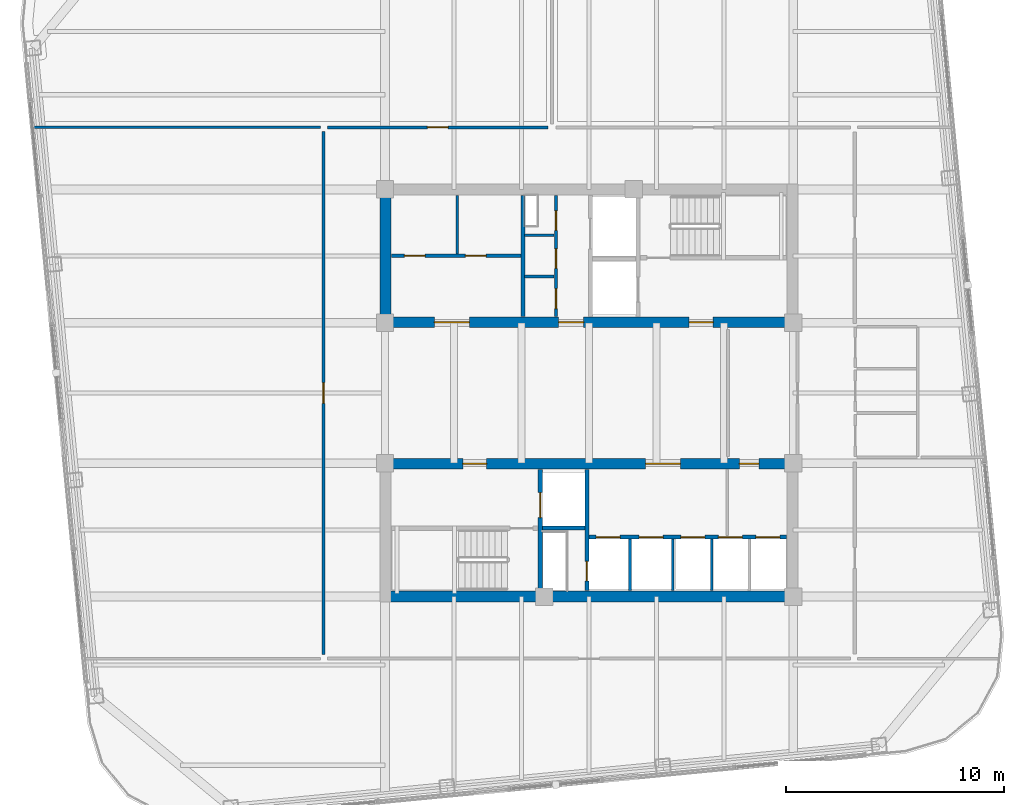
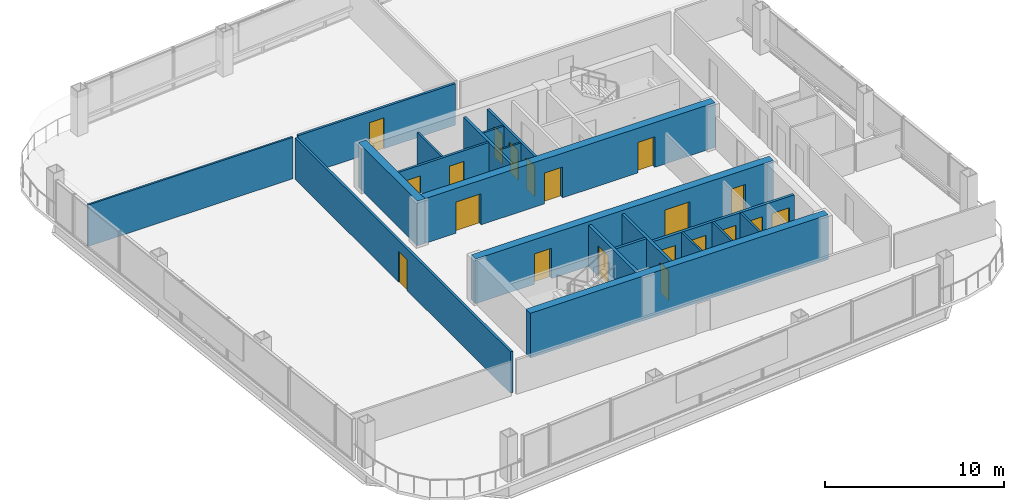
# One storey, part 24 of 28: 20 doors, 20 walls, 20 openings.
"""IFC4 building model written with IfcOpenShell, lengths in metres."""

from ifc_helpers import new_model, si_unit, direction, frame, frame_2d, origin, place, context, subcontext, project, spatial, rectangle, extrude, material, layer, layer_set, type_object, element, fill, save


model = new_model("IFC4")

# Units and contexts
model_context = context("Model", 3, precision=1e-05, world=origin(), true_north=direction((0.0, 1.0)))
body_context = subcontext(model_context, "Body", "Model", "MODEL_VIEW")
ifc_project = project(units=[si_unit("LENGTHUNIT", "METRE"), si_unit("AREAUNIT", "SQUARE_METRE"), si_unit("VOLUMEUNIT", "CUBIC_METRE"), si_unit("PLANEANGLEUNIT", "RADIAN"), si_unit("MASSUNIT", "GRAM", prefix="KILO")], contexts=[model_context])

# Site, building, storey
site_placement = place(None, origin())
site = spatial("IfcSite", under=ifc_project, at=site_placement, CompositionType="ELEMENT")
building_placement = place(site_placement, origin())
building = spatial("IfcBuilding", under=site, at=building_placement, Name="Qhalaya Broadcast Tower", CompositionType="ELEMENT")
storey_placement = place(building_placement, frame((0.0, 0.0, 159.199951171875)))
storey = spatial("IfcBuildingStorey", under=building, at=storey_placement, Name="L46", CompositionType="ELEMENT", Elevation=159.199951171875)

# Wall, openings, doors
ifc_material_1 = material(Name="Gypsum Acoustic Partition")
ifc_layer_1 = layer(ifc_material_1, 0.14990234375, Name="Gypsum Acoustic Partition")
ifc_layer_set_1 = layer_set([ifc_layer_1], Name="Gypsum Acoustic Partition")
wall_type_1 = type_object("IfcWallType", Name="Corridor & Tenancy Acoustic Partition 150", PredefinedType="PARTITIONING", material=ifc_layer_set_1)
wall_1_placement = place(storey_placement, frame((-1.52001953125, 4.1201171875, 0.0), z_axis=(0.0, 0.0, 1.0), x_axis=(0.0, 1.0, 0.0)))
wall_1 = element("IfcWall", 1, at=wall_1_placement, inside=storey, type_object=wall_type_1, Name="L46 Partition Wall NCW-SVL", PredefinedType="PARTITIONING", context=body_context, shape_type="SweptSolid", body=[
    extrude(rectangle(XDim=5.559814453125, YDim=0.14990234375, at=frame_2d((2.77978515625, 0.0))), origin(), (0.0, 0.0, 1.0), 2.830078125),
])
opening_1_placement = place(wall_1_placement, frame((3.949951171875, 0.0, 0.0)))
opening_1 = element("IfcOpeningElement", 2, at=opening_1_placement, cuts=wall_1, Name="Opening D06", PredefinedType="OPENING", context=body_context, shape_type="SweptSolid", body=[
    extrude(rectangle(XDim=0.89990234375, YDim=2.050048828125, at=frame_2d((0.449951171875, 1.02490234375))), frame((0.0, 0.0869140625, 0.0), z_axis=(0.0, -1.0, 0.0), x_axis=(1.0, 0.0, 0.0)), (0.0, 0.0, 1.0), 0.173828125),
])
opening_2_placement = place(wall_1_placement, frame((2.199951171875, 0.0, 0.0)))
opening_2 = element("IfcOpeningElement", 3, at=opening_2_placement, cuts=wall_1, Name="Opening D06", PredefinedType="OPENING", context=body_context, shape_type="SweptSolid", body=[
    extrude(rectangle(XDim=0.89990234375, YDim=2.050048828125, at=frame_2d((0.449951171875, 1.02490234375))), frame((0.0, 0.0869140625, 0.0), z_axis=(0.0, -1.0, 0.0), x_axis=(1.0, 0.0, 0.0)), (0.0, 0.0, 1.0), 0.173828125),
])
opening_3_placement = place(wall_1_placement, frame((0.35009765625, 0.0, 0.0)))
opening_3 = element("IfcOpeningElement", 4, at=opening_3_placement, cuts=wall_1, Name="Opening D12", PredefinedType="OPENING", context=body_context, shape_type="SweptSolid", body=[
    extrude(rectangle(XDim=0.919921875, YDim=2.10009765625, at=frame_2d((0.4599609375, 1.050048828125))), frame((0.0, 0.0869140625, 0.0), z_axis=(0.0, -1.0, 0.0), x_axis=(1.0, 0.0, 0.0)), (0.0, 0.0, 1.0), 0.173828125),
])
ifc_material_2 = material(Name="Timber Veneer Acoustic Door", Category="wood")
door_type_1 = type_object("IfcDoorType", Name="Accessible WC & Restroom Door D12", OperationType="NOTDEFINED", PredefinedType="DOOR", material=ifc_material_2)
door_1_placement = place(opening_3_placement, origin())
door_1 = element("IfcDoor", 5, at=door_1_placement, inside=storey, type_object=door_type_1, Name="L46 Door D-NCWC", OperationType="SINGLE_SWING_RIGHT", OverallHeight=2.10009765625, OverallWidth=0.919921875, PredefinedType="DOOR", context=body_context, shape_type="SweptSolid", body=[
    extrude(rectangle(XDim=0.919921875, YDim=2.10009765625, at=frame_2d((0.4599609375, 1.050048828125))), frame((0.0, 0.02490234375, 0.0), z_axis=(0.0, -1.0, 0.0), x_axis=(1.0, 0.0, 0.0)), (0.0, 0.0, 1.0), 0.050048828125),
])
fill(opening_3, door_1)
ifc_material_3 = material(Name="Fire-Rated Steel Door", Category="steel")
door_type_2 = type_object("IfcDoorType", Name="Riser & Electrical Shaft Access Door D06", OperationType="NOTDEFINED", PredefinedType="DOOR", material=ifc_material_3)
door_2_placement = place(opening_1_placement, origin())
door_2 = element("IfcDoor", 6, at=door_2_placement, inside=storey, type_object=door_type_2, Name="L46 Riser Shaft Access Door D-NRSR", OperationType="SINGLE_SWING_RIGHT", OverallHeight=2.050048828125, OverallWidth=0.89990234375, PredefinedType="DOOR", context=body_context, shape_type="SweptSolid", body=[
    extrude(rectangle(XDim=0.89990234375, YDim=2.050048828125, at=frame_2d((0.449951171875, 1.02490234375))), frame((0.0, 0.02490234375, 0.0), z_axis=(0.0, -1.0, 0.0), x_axis=(1.0, 0.0, 0.0)), (0.0, 0.0, 1.0), 0.050048828125),
])
fill(opening_1, door_2)
door_3_placement = place(opening_2_placement, origin())
door_3 = element("IfcDoor", 7, at=door_3_placement, inside=storey, type_object=door_type_2, Name="L46 Door D-NITR", OperationType="SINGLE_SWING_LEFT", OverallHeight=2.050048828125, OverallWidth=0.89990234375, PredefinedType="DOOR", context=body_context, shape_type="SweptSolid", body=[
    extrude(rectangle(XDim=0.89990234375, YDim=2.050048828125, at=frame_2d((0.449951171875, 1.02490234375))), frame((0.0, 0.02490234375, 0.0), z_axis=(0.0, -1.0, 0.0), x_axis=(1.0, 0.0, 0.0)), (0.0, 0.0, 1.0), 0.050048828125),
])
fill(opening_2, door_3)

wall_2_placement = place(storey_placement, frame((-9.080078125, 6.89990234375, 0.0), z_axis=(0.0, 0.0, 1.0), x_axis=(1.0, 0.0, 0.0)))
wall_2 = element("IfcWall", 8, at=wall_2_placement, inside=storey, type_object=wall_type_1, Name="L46 Partition Wall NCW-REC1", PredefinedType="PARTITIONING", context=body_context, shape_type="SweptSolid", body=[
    extrude(rectangle(XDim=5.9599609375, YDim=0.14990234375, at=frame_2d((2.97998046875, 0.0))), origin(), (0.0, 0.0, 1.0), 2.830078125),
])
opening_4_placement = place(wall_2_placement, frame((0.60009765625, 0.0, 0.0)))
opening_4 = element("IfcOpeningElement", 9, at=opening_4_placement, cuts=wall_2, Name="Opening D10", PredefinedType="OPENING", context=body_context, shape_type="SweptSolid", body=[
    extrude(rectangle(XDim=0.949951171875, YDim=2.10009765625, at=frame_2d((0.47509765625, 1.050048828125))), frame((0.0, 0.0869140625, 0.0), z_axis=(0.0, -1.0, 0.0), x_axis=(1.0, 0.0, 0.0)), (0.0, 0.0, 1.0), 0.173828125),
])
opening_5_placement = place(wall_2_placement, frame((3.39990234375, 0.0, 0.0)))
opening_5 = element("IfcOpeningElement", 10, at=opening_5_placement, cuts=wall_2, Name="Opening D10", PredefinedType="OPENING", context=body_context, shape_type="SweptSolid", body=[
    extrude(rectangle(XDim=0.949951171875, YDim=2.10009765625, at=frame_2d((0.47509765625, 1.050048828125))), frame((0.0, 0.0869140625, 0.0), z_axis=(0.0, -1.0, 0.0), x_axis=(1.0, 0.0, 0.0)), (0.0, 0.0, 1.0), 0.173828125),
])
door_type_3 = type_object("IfcDoorType", Name="Cellular Office & Edit Booth Door D10", OperationType="NOTDEFINED", PredefinedType="DOOR", material=ifc_material_2)
door_4_placement = place(opening_4_placement, origin())
door_4 = element("IfcDoor", 11, at=door_4_placement, inside=storey, type_object=door_type_3, Name="L46 Door D-NREC1", OperationType="SINGLE_SWING_LEFT", OverallHeight=2.10009765625, OverallWidth=0.949951171875, PredefinedType="DOOR", context=body_context, shape_type="SweptSolid", body=[
    extrude(rectangle(XDim=0.949951171875, YDim=2.10009765625, at=frame_2d((0.47509765625, 1.050048828125))), frame((0.0, 0.02490234375, 0.0), z_axis=(0.0, -1.0, 0.0), x_axis=(1.0, 0.0, 0.0)), (0.0, 0.0, 1.0), 0.050048828125),
])
fill(opening_4, door_4)
door_5_placement = place(opening_5_placement, origin())
door_5 = element("IfcDoor", 12, at=door_5_placement, inside=storey, type_object=door_type_3, Name="L46 Door D-NREC2", OperationType="SINGLE_SWING_RIGHT", OverallHeight=2.10009765625, OverallWidth=0.949951171875, PredefinedType="DOOR", context=body_context, shape_type="SweptSolid", body=[
    extrude(rectangle(XDim=0.949951171875, YDim=2.10009765625, at=frame_2d((0.47509765625, 1.050048828125))), frame((0.0, 0.02490234375, 0.0), z_axis=(0.0, -1.0, 0.0), x_axis=(1.0, 0.0, 0.0)), (0.0, 0.0, 1.0), 0.050048828125),
])
fill(opening_5, door_5)

# Wall, opening, door
wall_3_placement = place(storey_placement, frame((-12.02001953125, 12.800048828125, 0.0), z_axis=(0.0, 0.0, 1.0), x_axis=(1.0, 0.0, 0.0)))
wall_3 = element("IfcWall", 13, at=wall_3_placement, inside=storey, type_object=wall_type_1, Name="L46 Partition Wall W-COR-01", PredefinedType="PARTITIONING", context=body_context, shape_type="SweptSolid", body=[
    extrude(rectangle(XDim=10.14013671875, YDim=0.14990234375, at=frame_2d((5.070068359375, 0.0))), origin(), (0.0, 0.0, 1.0), 2.830078125),
])
opening_6_placement = place(wall_3_placement, frame((4.594970703125, 0.0, 0.0)))
opening_6 = element("IfcOpeningElement", 14, at=opening_6_placement, cuts=wall_3, Name="Opening D10", PredefinedType="OPENING", context=body_context, shape_type="SweptSolid", body=[
    extrude(rectangle(XDim=0.949951171875, YDim=2.10009765625, at=frame_2d((0.47509765625, 1.050048828125))), frame((0.0, 0.0869140625, 0.0), z_axis=(0.0, -1.0, 0.0), x_axis=(1.0, 0.0, 0.0)), (0.0, 0.0, 1.0), 0.173828125),
])
door_6_placement = place(opening_6_placement, origin())
door_6 = element("IfcDoor", 15, at=door_6_placement, inside=storey, type_object=door_type_3, Name="L46 Door D-RM01", OperationType="SINGLE_SWING_RIGHT", OverallHeight=2.10009765625, OverallWidth=0.949951171875, PredefinedType="DOOR", context=body_context, shape_type="SweptSolid", body=[
    extrude(rectangle(XDim=0.949951171875, YDim=2.10009765625, at=frame_2d((0.47509765625, 1.050048828125))), frame((0.0, 0.02490234375, 0.0), z_axis=(0.0, -1.0, 0.0), x_axis=(1.0, 0.0, 0.0)), (0.0, 0.0, 1.0), 0.050048828125),
])
fill(opening_6, door_6)

wall_4_placement = place(storey_placement, frame((-12.199951171875, -11.419921875, 0.0), z_axis=(0.0, 0.0, 1.0), x_axis=(0.0, 1.0, 0.0)))
wall_4 = element("IfcWall", 16, at=wall_4_placement, inside=storey, type_object=wall_type_1, Name="L46 Partition Wall W-COR-04", PredefinedType="PARTITIONING", context=body_context, shape_type="SweptSolid", body=[
    extrude(rectangle(XDim=24.0400390625, YDim=0.14990234375, at=frame_2d((12.02001953125, 0.0))), origin(), (0.0, 0.0, 1.0), 2.830078125),
])
opening_7_placement = place(wall_4_placement, frame((11.544921875, 0.0, 0.0)))
opening_7 = element("IfcOpeningElement", 17, at=opening_7_placement, cuts=wall_4, Name="Opening D10", PredefinedType="OPENING", context=body_context, shape_type="SweptSolid", body=[
    extrude(rectangle(XDim=0.949951171875, YDim=2.10009765625, at=frame_2d((0.47509765625, 1.050048828125))), frame((0.0, 0.0869140625, 0.0), z_axis=(0.0, -1.0, 0.0), x_axis=(1.0, 0.0, 0.0)), (0.0, 0.0, 1.0), 0.173828125),
])
door_7_placement = place(opening_7_placement, origin())
door_7 = element("IfcDoor", 18, at=door_7_placement, inside=storey, type_object=door_type_3, Name="L46 Door D-RM04", OperationType="SINGLE_SWING_LEFT", OverallHeight=2.10009765625, OverallWidth=0.949951171875, PredefinedType="DOOR", context=body_context, shape_type="SweptSolid", body=[
    extrude(rectangle(XDim=0.949951171875, YDim=2.10009765625, at=frame_2d((0.47509765625, 1.050048828125))), frame((0.0, 0.02490234375, 0.0), z_axis=(0.0, -1.0, 0.0), x_axis=(1.0, 0.0, 0.0)), (0.0, 0.0, 1.0), 0.050048828125),
])
fill(opening_7, door_7)

ifc_material_4 = material(Name="Concrete C50/60", Category="concrete")
ifc_layer_2 = layer(ifc_material_4, 0.199951171875, Name="Concrete C50/60")
ifc_layer_set_2 = layer_set([ifc_layer_2], Name="Concrete C50/60")
wall_type_2 = type_object("IfcWallType", Name="Load-Bearing Stair Shaft Wall 200", PredefinedType="SHEAR", material=ifc_layer_set_2)
wall_5_placement = place(storey_placement, frame((-2.25, -8.47998046875, 0.0), z_axis=(0.0, 0.0, 1.0), x_axis=(0.0, 1.0, 0.0)))
wall_5 = element("IfcWall", 19, at=wall_5_placement, inside=storey, type_object=wall_type_2, Name="L46 Stair Core Shear Wall SCW-FF", PredefinedType="SHEAR", context=body_context, shape_type="SweptSolid", body=[
    extrude(rectangle(XDim=5.56005859375, YDim=0.199951171875, at=frame_2d((2.780029296875, 0.0))), origin(), (0.0, 0.0, 1.0), 2.830078125),
])
opening_8_placement = place(wall_5_placement, frame((3.35009765625, 0.0, 0.0)))
opening_8 = element("IfcOpeningElement", 20, at=opening_8_placement, cuts=wall_5, Name="Opening LD2", PredefinedType="OPENING", context=body_context, shape_type="SweptSolid", body=[
    extrude(rectangle(XDim=1.14990234375, YDim=2.080078125, at=frame_2d((0.574951171875, 1.0400390625))), frame((0.0, 0.112060546875, 0.0), z_axis=(0.0, -1.0, 0.0), x_axis=(1.0, 0.0, 0.0)), (0.0, 0.0, 1.0), 0.223876953125),
])
ifc_material_5 = material(Name="Brushed Stainless Steel Lift Door", Category="steel")
door_type_4 = type_object("IfcDoorType", Name="Firefighting Lift Sliding Landing Door LD2", OperationType="DOUBLE_DOOR_SLIDING", PredefinedType="DOOR", material=ifc_material_5)
door_8_placement = place(opening_8_placement, origin())
door_8 = element("IfcDoor", 21, at=door_8_placement, inside=storey, type_object=door_type_4, Name="L46 Door LD-FF2", OperationType="DOUBLE_DOOR_SLIDING", OverallHeight=2.080078125, OverallWidth=1.14990234375, PredefinedType="DOOR", context=body_context, shape_type="SweptSolid", body=[
    extrude(rectangle(XDim=1.14990234375, YDim=2.080078125, at=frame_2d((0.574951171875, 1.0400390625))), frame((0.0, 0.02490234375, 0.0), z_axis=(0.0, -1.0, 0.0), x_axis=(1.0, 0.0, 0.0)), (0.0, 0.0, 1.0), 0.050048828125),
])
fill(opening_8, door_8)

# Wall, openings, doors
ifc_layer_3 = layer(ifc_material_4, 0.5, Name="Concrete C50/60")
ifc_layer_set_3 = layer_set([ifc_layer_3], Name="Concrete C50/60")
wall_type_3 = type_object("IfcWallType", Name="Mid Split-Core Shear Wall 500", PredefinedType="SHEAR", material=ifc_layer_set_3)
wall_6_placement = place(storey_placement, frame((-9.60009765625, 3.85009765625, 0.0), z_axis=(0.0, 0.0, 1.0), x_axis=(1.0, 0.0, 0.0)))
wall_6 = element("IfcWall", 22, at=wall_6_placement, inside=storey, type_object=wall_type_3, Name="L46 Split-Core Shear Wall CW-NS", PredefinedType="SHEAR", context=body_context, shape_type="SweptSolid", body=[
    extrude(rectangle(XDim=19.2001953125, YDim=0.5, at=frame_2d((9.60009765625, 0.0))), origin(), (0.0, 0.0, 1.0), 3.050048828125),
])
opening_9_placement = place(wall_6_placement, frame((14.199951171875, 0.0, 0.0)))
opening_9 = element("IfcOpeningElement", 23, at=opening_9_placement, cuts=wall_6, Name="Opening D04", PredefinedType="OPENING", context=body_context, shape_type="SweptSolid", body=[
    extrude(rectangle(XDim=1.10009765625, YDim=2.080078125, at=frame_2d((0.550048828125, 1.0400390625))), frame((0.0, 0.261962890625, 0.0), z_axis=(0.0, -1.0, 0.0), x_axis=(1.0, 0.0, 0.0)), (0.0, 0.0, 1.0), 0.52392578125),
])
opening_10_placement = place(wall_6_placement, frame((8.199951171875, 0.0, 0.0)))
opening_10 = element("IfcOpeningElement", 24, at=opening_10_placement, cuts=wall_6, Name="Opening D05", PredefinedType="OPENING", context=body_context, shape_type="SweptSolid", body=[
    extrude(rectangle(XDim=1.14990234375, YDim=2.10009765625, at=frame_2d((0.574951171875, 1.050048828125))), frame((0.0, 0.261962890625, 0.0), z_axis=(0.0, -1.0, 0.0), x_axis=(1.0, 0.0, 0.0)), (0.0, 0.0, 1.0), 0.52392578125),
])
opening_11_placement = place(wall_6_placement, frame((2.5, 0.0, 0.0)))
opening_11 = element("IfcOpeningElement", 25, at=opening_11_placement, cuts=wall_6, Name="Opening D07", PredefinedType="OPENING", context=body_context, shape_type="SweptSolid", body=[
    extrude(rectangle(XDim=1.60009765625, YDim=2.1201171875, at=frame_2d((0.800048828125, 1.06005859375))), frame((0.0, 0.261962890625, 0.0), z_axis=(0.0, -1.0, 0.0), x_axis=(1.0, 0.0, 0.0)), (0.0, 0.0, 1.0), 0.52392578125),
])
door_type_5 = type_object("IfcDoorType", Name="Firefighting Lobby Rated Door D04", OperationType="NOTDEFINED", PredefinedType="DOOR", material=ifc_material_3)
door_9_placement = place(opening_9_placement, origin())
door_9 = element("IfcDoor", 26, at=door_9_placement, inside=storey, type_object=door_type_5, Name="L46 Door D-NFF", OperationType="SINGLE_SWING_RIGHT", OverallHeight=2.080078125, OverallWidth=1.10009765625, PredefinedType="DOOR", context=body_context, shape_type="SweptSolid", body=[
    extrude(rectangle(XDim=1.10009765625, YDim=2.080078125, at=frame_2d((0.550048828125, 1.0400390625))), frame((0.0, 0.02490234375, 0.0), z_axis=(0.0, -1.0, 0.0), x_axis=(1.0, 0.0, 0.0)), (0.0, 0.0, 1.0), 0.050048828125),
])
fill(opening_9, door_9)
ifc_material_6 = material(Name="Anodised Aluminium Glazed Door", Category="aluminium")
door_type_6 = type_object("IfcDoorType", Name="Passenger Lift Lobby Double Glazed Door D07", OperationType="DOUBLE_DOOR_SINGLE_SWING", PredefinedType="DOOR", material=ifc_material_6)
door_10_placement = place(opening_11_placement, origin())
door_10 = element("IfcDoor", 27, at=door_10_placement, inside=storey, type_object=door_type_6, Name="L46 Door D-NRECV", OperationType="DOUBLE_DOOR_SINGLE_SWING", OverallHeight=2.1201171875, OverallWidth=1.60009765625, PredefinedType="DOOR", context=body_context, shape_type="SweptSolid", body=[
    extrude(rectangle(XDim=1.60009765625, YDim=2.1201171875, at=frame_2d((0.800048828125, 1.06005859375))), frame((0.0, 0.02490234375, 0.0), z_axis=(0.0, -1.0, 0.0), x_axis=(1.0, 0.0, 0.0)), (0.0, 0.0, 1.0), 0.050048828125),
])
fill(opening_11, door_10)
door_type_7 = type_object("IfcDoorType", Name="Refuge & Plant Room Fire Door D05", OperationType="NOTDEFINED", PredefinedType="DOOR", material=ifc_material_3)
door_11_placement = place(opening_10_placement, origin())
door_11 = element("IfcDoor", 28, at=door_11_placement, inside=storey, type_object=door_type_7, Name="L46 Door D-NSVL", OperationType="SINGLE_SWING_LEFT", OverallHeight=2.10009765625, OverallWidth=1.14990234375, PredefinedType="DOOR", context=body_context, shape_type="SweptSolid", body=[
    extrude(rectangle(XDim=1.14990234375, YDim=2.10009765625, at=frame_2d((0.574951171875, 1.050048828125))), frame((0.0, 0.02490234375, 0.0), z_axis=(0.0, -1.0, 0.0), x_axis=(1.0, 0.0, 0.0)), (0.0, 0.0, 1.0), 0.050048828125),
])
fill(opening_10, door_11)

# Walls
wall_7_placement = place(storey_placement, frame((-9.35009765625, 3.60009765625, 0.0), z_axis=(0.0, 0.0, 1.0), x_axis=(0.0, 1.0, 0.0)))
element("IfcWall", 29, at=wall_7_placement, inside=storey, type_object=wall_type_3, Name="L46 Split-Core Shear Wall CW-NW", PredefinedType="SHEAR", context=body_context, shape_type="SweptSolid", body=[
    extrude(rectangle(XDim=6.599853515625, YDim=0.5, at=frame_2d((3.2998046875, 0.0))), origin(), (0.0, 0.0, 1.0), 3.050048828125),
])
wall_8_placement = place(storey_placement, frame((-9.60009765625, -8.75, 0.0), z_axis=(0.0, 0.0, 1.0), x_axis=(1.0, 0.0, 0.0)))
element("IfcWall", 30, at=wall_8_placement, inside=storey, type_object=wall_type_3, Name="L46 Split-Core Shear Wall CW-SS", PredefinedType="SHEAR", context=body_context, shape_type="SweptSolid", body=[
    extrude(rectangle(XDim=19.2001953125, YDim=0.5, at=frame_2d((9.60009765625, 0.0))), origin(), (0.0, 0.0, 1.0), 3.050048828125),
])

# Wall, openings, doors
wall_9_placement = place(storey_placement, frame((-9.60009765625, -2.64990234375, 0.0), z_axis=(0.0, 0.0, 1.0), x_axis=(1.0, 0.0, 0.0)))
wall_9 = element("IfcWall", 31, at=wall_9_placement, inside=storey, type_object=wall_type_3, Name="L46 Split-Core Shear Wall CW-SN", PredefinedType="SHEAR", context=body_context, shape_type="SweptSolid", body=[
    extrude(rectangle(XDim=19.2001953125, YDim=0.5, at=frame_2d((9.60009765625, 0.0))), origin(), (0.0, 0.0, 1.0), 3.050048828125),
])
opening_12_placement = place(wall_9_placement, frame((3.800048828125, 0.0, 0.0)))
opening_12 = element("IfcOpeningElement", 32, at=opening_12_placement, cuts=wall_9, Name="Opening D04", PredefinedType="OPENING", context=body_context, shape_type="SweptSolid", body=[
    extrude(rectangle(XDim=1.10009765625, YDim=2.080078125, at=frame_2d((0.550048828125, 1.0400390625))), frame((0.0, 0.261962890625, 0.0), z_axis=(0.0, -1.0, 0.0), x_axis=(1.0, 0.0, 0.0)), (0.0, 0.0, 1.0), 0.52392578125),
])
opening_13_placement = place(wall_9_placement, frame((12.199951171875, 0.0, 0.0)))
opening_13 = element("IfcOpeningElement", 33, at=opening_13_placement, cuts=wall_9, Name="Opening D07", PredefinedType="OPENING", context=body_context, shape_type="SweptSolid", body=[
    extrude(rectangle(XDim=1.60009765625, YDim=2.1201171875, at=frame_2d((0.800048828125, 1.06005859375))), frame((0.0, 0.261962890625, 0.0), z_axis=(0.0, -1.0, 0.0), x_axis=(1.0, 0.0, 0.0)), (0.0, 0.0, 1.0), 0.52392578125),
])
opening_14_placement = place(wall_9_placement, frame((16.5, 0.0, 0.0)))
opening_14 = element("IfcOpeningElement", 34, at=opening_14_placement, cuts=wall_9, Name="Opening D06", PredefinedType="OPENING", context=body_context, shape_type="SweptSolid", body=[
    extrude(rectangle(XDim=0.89990234375, YDim=2.050048828125, at=frame_2d((0.449951171875, 1.02490234375))), frame((0.0, 0.261962890625, 0.0), z_axis=(0.0, -1.0, 0.0), x_axis=(1.0, 0.0, 0.0)), (0.0, 0.0, 1.0), 0.52392578125),
])
door_12_placement = place(opening_12_placement, origin())
door_12 = element("IfcDoor", 35, at=door_12_placement, inside=storey, type_object=door_type_5, Name="L46 Door D-SFF", OperationType="SINGLE_SWING_LEFT", OverallHeight=2.080078125, OverallWidth=1.10009765625, PredefinedType="DOOR", context=body_context, shape_type="SweptSolid", body=[
    extrude(rectangle(XDim=1.10009765625, YDim=2.080078125, at=frame_2d((0.550048828125, 1.0400390625))), frame((0.0, 0.02490234375, 0.0), z_axis=(0.0, -1.0, 0.0), x_axis=(1.0, 0.0, 0.0)), (0.0, 0.0, 1.0), 0.050048828125),
])
fill(opening_12, door_12)
door_13_placement = place(opening_13_placement, origin())
door_13 = element("IfcDoor", 36, at=door_13_placement, inside=storey, type_object=door_type_6, Name="L46 Door D-SPLL", OperationType="DOUBLE_DOOR_SINGLE_SWING", OverallHeight=2.1201171875, OverallWidth=1.60009765625, PredefinedType="DOOR", context=body_context, shape_type="SweptSolid", body=[
    extrude(rectangle(XDim=1.60009765625, YDim=2.1201171875, at=frame_2d((0.800048828125, 1.06005859375))), frame((0.0, 0.02490234375, 0.0), z_axis=(0.0, -1.0, 0.0), x_axis=(1.0, 0.0, 0.0)), (0.0, 0.0, 1.0), 0.050048828125),
])
fill(opening_13, door_13)
door_14_placement = place(opening_14_placement, origin())
door_14 = element("IfcDoor", 37, at=door_14_placement, inside=storey, type_object=door_type_2, Name="L46 Door D-SSCST", OperationType="SINGLE_SWING_LEFT", OverallHeight=2.050048828125, OverallWidth=0.89990234375, PredefinedType="DOOR", context=body_context, shape_type="SweptSolid", body=[
    extrude(rectangle(XDim=0.89990234375, YDim=2.050048828125, at=frame_2d((0.449951171875, 1.02490234375))), frame((0.0, 0.02490234375, 0.0), z_axis=(0.0, -1.0, 0.0), x_axis=(1.0, 0.0, 0.0)), (0.0, 0.0, 1.0), 0.050048828125),
])
fill(opening_14, door_14)

# Walls
ifc_layer_4 = layer(ifc_material_1, 0.1201171875, Name="Gypsum Acoustic Partition")
ifc_layer_set_4 = layer_set([ifc_layer_4], Name="Gypsum Acoustic Partition")
wall_type_4 = type_object("IfcWallType", Name="Office, Booth & Sanitary Partition 120", PredefinedType="PARTITIONING", material=ifc_layer_set_4)
for number, where, z_axis, x_axis, name in (
    (38, (-2.9599609375, 5.949951171875, 0.0), (0.0, 0.0, 1.0), (1.0, 0.0, 0.0), "L46 Partition Wall NCW-VB1"),
    (39, (-2.9599609375, 7.85009765625, 0.0), (0.0, 0.0, 1.0), (1.0, 0.0, 0.0), "L46 Partition Wall NCW-VB2"),
):
    element("IfcWall", number, at=place(storey_placement, frame(where, z_axis=z_axis, x_axis=x_axis)), inside=storey, type_object=wall_type_4, Name=name, PredefinedType="PARTITIONING", context=body_context, shape_type="SweptSolid", body=[
        extrude(rectangle(XDim=1.35986328125, YDim=0.1201171875, at=frame_2d((0.679931640625, 0.0))), origin(), (0.0, 0.0, 1.0), 2.830078125),
    ])
wall_10_placement = place(storey_placement, frame((-6.050048828125, 6.97998046875, 0.0), z_axis=(0.0, 0.0, 1.0), x_axis=(0.0, 1.0, 0.0)))
element("IfcWall", 40, at=wall_10_placement, inside=storey, type_object=wall_type_4, Name="L46 Partition Wall NCW-REC2", PredefinedType="PARTITIONING", context=body_context, shape_type="SweptSolid", body=[
    extrude(rectangle(XDim=2.699951171875, YDim=0.1201171875, at=frame_2d((1.35009765625, 0.0))), origin(), (0.0, 0.0, 1.0), 2.830078125),
])
for number, where, z_axis, x_axis, name in (
    (41, (1.8798828125, -8.47998046875, 0.0), (0.0, 0.0, 1.0), (0.0, 1.0, 0.0), "L46 Partition Wall SCW-MD4"),
    (42, (3.85009765625, -8.47998046875, 0.0), (0.0, 0.0, 1.0), (0.0, 1.0, 0.0), "L46 Partition Wall SCW-MD5"),
    (43, (5.639892578125, -8.47998046875, 0.0), (0.0, 0.0, 1.0), (0.0, 1.0, 0.0), "L46 Partition Wall SCW-HD6"),
):
    element("IfcWall", number, at=place(storey_placement, frame(where, z_axis=z_axis, x_axis=x_axis)), inside=storey, type_object=wall_type_4, Name=name, PredefinedType="PARTITIONING", context=body_context, shape_type="SweptSolid", body=[
        extrude(rectangle(XDim=2.3798828125, YDim=0.1201171875, at=frame_2d((1.18994140625, 0.0))), origin(), (0.0, 0.0, 1.0), 2.830078125),
    ])
wall_11_placement = place(storey_placement, frame((-25.558837890625, 12.800048828125, 0.0), z_axis=(0.0, 0.0, 1.0), x_axis=(1.0, 0.0, 0.0)))
element("IfcWall", 44, at=wall_11_placement, inside=storey, type_object=wall_type_4, Name="L46 Partition Wall W-BNDW1", PredefinedType="PARTITIONING", context=body_context, shape_type="SweptSolid", body=[
    extrude(rectangle(XDim=13.21875, YDim=0.1201171875, at=frame_2d((6.609375, 0.0))), origin(), (0.0, 0.0, 1.0), 2.830078125),
])
ifc_layer_5 = layer(ifc_material_1, 0.175048828125, Name="Gypsum Acoustic Partition")
ifc_layer_set_5 = layer_set([ifc_layer_5], Name="Gypsum Acoustic Partition")
wall_type_5 = type_object("IfcWallType", Name="Shaft & Riser Fire Partition 175", PredefinedType="PARTITIONING", material=ifc_layer_set_5)
wall_12_placement = place(storey_placement, frame((-3.0400390625, 4.1201171875, 0.0), z_axis=(0.0, 0.0, 1.0), x_axis=(0.0, 1.0, 0.0)))
element("IfcWall", 45, at=wall_12_placement, inside=storey, type_object=wall_type_5, Name="L46 Partition Wall NCW-VRW", PredefinedType="PARTITIONING", context=body_context, shape_type="SweptSolid", body=[
    extrude(rectangle(XDim=5.559814453125, YDim=0.175048828125, at=frame_2d((2.77978515625, 0.0))), origin(), (0.0, 0.0, 1.0), 2.830078125),
])

# Wall, opening, door
wall_13_placement = place(storey_placement, frame((-0.10009765625, -8.47998046875, 0.0), z_axis=(0.0, 0.0, 1.0), x_axis=(0.0, 1.0, 0.0)))
wall_13 = element("IfcWall", 46, at=wall_13_placement, inside=storey, type_object=wall_type_5, Name="L46 Partition Wall SCW-FFE", PredefinedType="PARTITIONING", context=body_context, shape_type="SweptSolid", body=[
    extrude(rectangle(XDim=5.56005859375, YDim=0.175048828125, at=frame_2d((2.780029296875, 0.0))), origin(), (0.0, 0.0, 1.0), 2.830078125),
])
opening_15_placement = place(wall_13_placement, frame((0.449951171875, 0.0, 0.0)))
opening_15 = element("IfcOpeningElement", 47, at=opening_15_placement, cuts=wall_13, Name="Opening D06", PredefinedType="OPENING", context=body_context, shape_type="SweptSolid", body=[
    extrude(rectangle(XDim=0.89990234375, YDim=2.050048828125, at=frame_2d((0.449951171875, 1.02490234375))), frame((0.0, 0.099609375, 0.0), z_axis=(0.0, -1.0, 0.0), x_axis=(1.0, 0.0, 0.0)), (0.0, 0.0, 1.0), 0.198974609375),
])
door_15_placement = place(opening_15_placement, origin())
door_15 = element("IfcDoor", 48, at=door_15_placement, inside=storey, type_object=door_type_2, Name="L46 Riser Shaft Access Door D-SRSR", OperationType="SINGLE_SWING_LEFT", OverallHeight=2.050048828125, OverallWidth=0.89990234375, PredefinedType="DOOR", context=body_context, shape_type="SweptSolid", body=[
    extrude(rectangle(XDim=0.89990234375, YDim=2.050048828125, at=frame_2d((0.449951171875, 1.02490234375))), frame((0.0, 0.02490234375, 0.0), z_axis=(0.0, -1.0, 0.0), x_axis=(1.0, 0.0, 0.0)), (0.0, 0.0, 1.0), 0.050048828125),
])
fill(opening_15, door_15)

# Wall
wall_14_placement = place(storey_placement, frame((-2.14990234375, -5.60009765625, 0.0), z_axis=(0.0, 0.0, 1.0), x_axis=(1.0, 0.0, 0.0)))
element("IfcWall", 49, at=wall_14_placement, inside=storey, type_object=wall_type_5, Name="L46 Partition Wall SCW-FFM", PredefinedType="PARTITIONING", context=body_context, shape_type="SweptSolid", body=[
    extrude(rectangle(XDim=1.969970703125, YDim=0.175048828125, at=frame_2d((0.98486328125, 0.0))), origin(), (0.0, 0.0, 1.0), 2.830078125),
])

# Wall, openings, doors
wall_15_placement = place(storey_placement, frame((0.0, -6.02001953125, 0.0), z_axis=(0.0, 0.0, 1.0), x_axis=(1.0, 0.0, 0.0)))
wall_15 = element("IfcWall", 50, at=wall_15_placement, inside=storey, type_object=wall_type_5, Name="L46 Partition Wall SCW-SLB", PredefinedType="PARTITIONING", context=body_context, shape_type="SweptSolid", body=[
    extrude(rectangle(XDim=9.080078125, YDim=0.175048828125, at=frame_2d((4.5400390625, 0.0))), origin(), (0.0, 0.0, 1.0), 2.830078125),
])
opening_16_placement = place(wall_15_placement, frame((0.330078125, 0.0, 0.0)))
opening_16 = element("IfcOpeningElement", 51, at=opening_16_placement, cuts=wall_15, Name="Opening LD1", PredefinedType="OPENING", context=body_context, shape_type="SweptSolid", body=[
    extrude(rectangle(XDim=1.10009765625, YDim=2.06005859375, at=frame_2d((0.550048828125, 1.030029296875))), frame((0.0, 0.099609375, 0.0), z_axis=(0.0, -1.0, 0.0), x_axis=(1.0, 0.0, 0.0)), (0.0, 0.0, 1.0), 0.198974609375),
])
opening_17_placement = place(wall_15_placement, frame((2.300048828125, 0.0, 0.0)))
opening_17 = element("IfcOpeningElement", 52, at=opening_17_placement, cuts=wall_15, Name="Opening LD1", PredefinedType="OPENING", context=body_context, shape_type="SweptSolid", body=[
    extrude(rectangle(XDim=1.10009765625, YDim=2.06005859375, at=frame_2d((0.550048828125, 1.030029296875))), frame((0.0, 0.099609375, 0.0), z_axis=(0.0, -1.0, 0.0), x_axis=(1.0, 0.0, 0.0)), (0.0, 0.0, 1.0), 0.198974609375),
])
opening_18_placement = place(wall_15_placement, frame((4.219970703125, 0.0, 0.0)))
opening_18 = element("IfcOpeningElement", 53, at=opening_18_placement, cuts=wall_15, Name="Opening LD1", PredefinedType="OPENING", context=body_context, shape_type="SweptSolid", body=[
    extrude(rectangle(XDim=1.10009765625, YDim=2.06005859375, at=frame_2d((0.550048828125, 1.030029296875))), frame((0.0, 0.099609375, 0.0), z_axis=(0.0, -1.0, 0.0), x_axis=(1.0, 0.0, 0.0)), (0.0, 0.0, 1.0), 0.198974609375),
])
opening_19_placement = place(wall_15_placement, frame((5.93994140625, 0.0, 0.0)))
opening_19 = element("IfcOpeningElement", 54, at=opening_19_placement, cuts=wall_15, Name="Opening LD1", PredefinedType="OPENING", context=body_context, shape_type="SweptSolid", body=[
    extrude(rectangle(XDim=1.10009765625, YDim=2.06005859375, at=frame_2d((0.550048828125, 1.030029296875))), frame((0.0, 0.099609375, 0.0), z_axis=(0.0, -1.0, 0.0), x_axis=(1.0, 0.0, 0.0)), (0.0, 0.0, 1.0), 0.198974609375),
])
opening_20_placement = place(wall_15_placement, frame((7.659912109375, 0.0, 0.0)))
opening_20 = element("IfcOpeningElement", 55, at=opening_20_placement, cuts=wall_15, Name="Opening LD1", PredefinedType="OPENING", context=body_context, shape_type="SweptSolid", body=[
    extrude(rectangle(XDim=1.10009765625, YDim=2.06005859375, at=frame_2d((0.550048828125, 1.030029296875))), frame((0.0, 0.099609375, 0.0), z_axis=(0.0, -1.0, 0.0), x_axis=(1.0, 0.0, 0.0)), (0.0, 0.0, 1.0), 0.198974609375),
])
door_type_8 = type_object("IfcDoorType", Name="Passenger Lift Sliding Landing Door LD1", OperationType="DOUBLE_DOOR_SLIDING", PredefinedType="DOOR", material=ifc_material_5)
door_16_placement = place(opening_16_placement, origin())
door_16 = element("IfcDoor", 56, at=door_16_placement, inside=storey, type_object=door_type_8, Name="L46 Door LD-P4", OperationType="DOUBLE_DOOR_SLIDING", OverallHeight=2.06005859375, OverallWidth=1.10009765625, PredefinedType="DOOR", context=body_context, shape_type="SweptSolid", body=[
    extrude(rectangle(XDim=1.10009765625, YDim=2.06005859375, at=frame_2d((0.550048828125, 1.030029296875))), frame((0.0, 0.02490234375, 0.0), z_axis=(0.0, -1.0, 0.0), x_axis=(1.0, 0.0, 0.0)), (0.0, 0.0, 1.0), 0.050048828125),
])
fill(opening_16, door_16)
door_17_placement = place(opening_17_placement, origin())
door_17 = element("IfcDoor", 57, at=door_17_placement, inside=storey, type_object=door_type_8, Name="L46 Door LD-P5", OperationType="DOUBLE_DOOR_SLIDING", OverallHeight=2.06005859375, OverallWidth=1.10009765625, PredefinedType="DOOR", context=body_context, shape_type="SweptSolid", body=[
    extrude(rectangle(XDim=1.10009765625, YDim=2.06005859375, at=frame_2d((0.550048828125, 1.030029296875))), frame((0.0, 0.02490234375, 0.0), z_axis=(0.0, -1.0, 0.0), x_axis=(1.0, 0.0, 0.0)), (0.0, 0.0, 1.0), 0.050048828125),
])
fill(opening_17, door_17)
door_18_placement = place(opening_18_placement, origin())
door_18 = element("IfcDoor", 58, at=door_18_placement, inside=storey, type_object=door_type_8, Name="L46 Door LD-P6", OperationType="DOUBLE_DOOR_SLIDING", OverallHeight=2.06005859375, OverallWidth=1.10009765625, PredefinedType="DOOR", context=body_context, shape_type="SweptSolid", body=[
    extrude(rectangle(XDim=1.10009765625, YDim=2.06005859375, at=frame_2d((0.550048828125, 1.030029296875))), frame((0.0, 0.02490234375, 0.0), z_axis=(0.0, -1.0, 0.0), x_axis=(1.0, 0.0, 0.0)), (0.0, 0.0, 1.0), 0.050048828125),
])
fill(opening_18, door_18)
door_19_placement = place(opening_19_placement, origin())
door_19 = element("IfcDoor", 59, at=door_19_placement, inside=storey, type_object=door_type_8, Name="L46 Door LD-P7", OperationType="DOUBLE_DOOR_SLIDING", OverallHeight=2.06005859375, OverallWidth=1.10009765625, PredefinedType="DOOR", context=body_context, shape_type="SweptSolid", body=[
    extrude(rectangle(XDim=1.10009765625, YDim=2.06005859375, at=frame_2d((0.550048828125, 1.030029296875))), frame((0.0, 0.02490234375, 0.0), z_axis=(0.0, -1.0, 0.0), x_axis=(1.0, 0.0, 0.0)), (0.0, 0.0, 1.0), 0.050048828125),
])
fill(opening_19, door_19)
door_20_placement = place(opening_20_placement, origin())
door_20 = element("IfcDoor", 60, at=door_20_placement, inside=storey, type_object=door_type_8, Name="L46 Door LD-P8", OperationType="DOUBLE_DOOR_SLIDING", OverallHeight=2.06005859375, OverallWidth=1.10009765625, PredefinedType="DOOR", context=body_context, shape_type="SweptSolid", body=[
    extrude(rectangle(XDim=1.10009765625, YDim=2.06005859375, at=frame_2d((0.550048828125, 1.030029296875))), frame((0.0, 0.02490234375, 0.0), z_axis=(0.0, -1.0, 0.0), x_axis=(1.0, 0.0, 0.0)), (0.0, 0.0, 1.0), 0.050048828125),
])
fill(opening_20, door_20)

save(model, "model.ifc")
